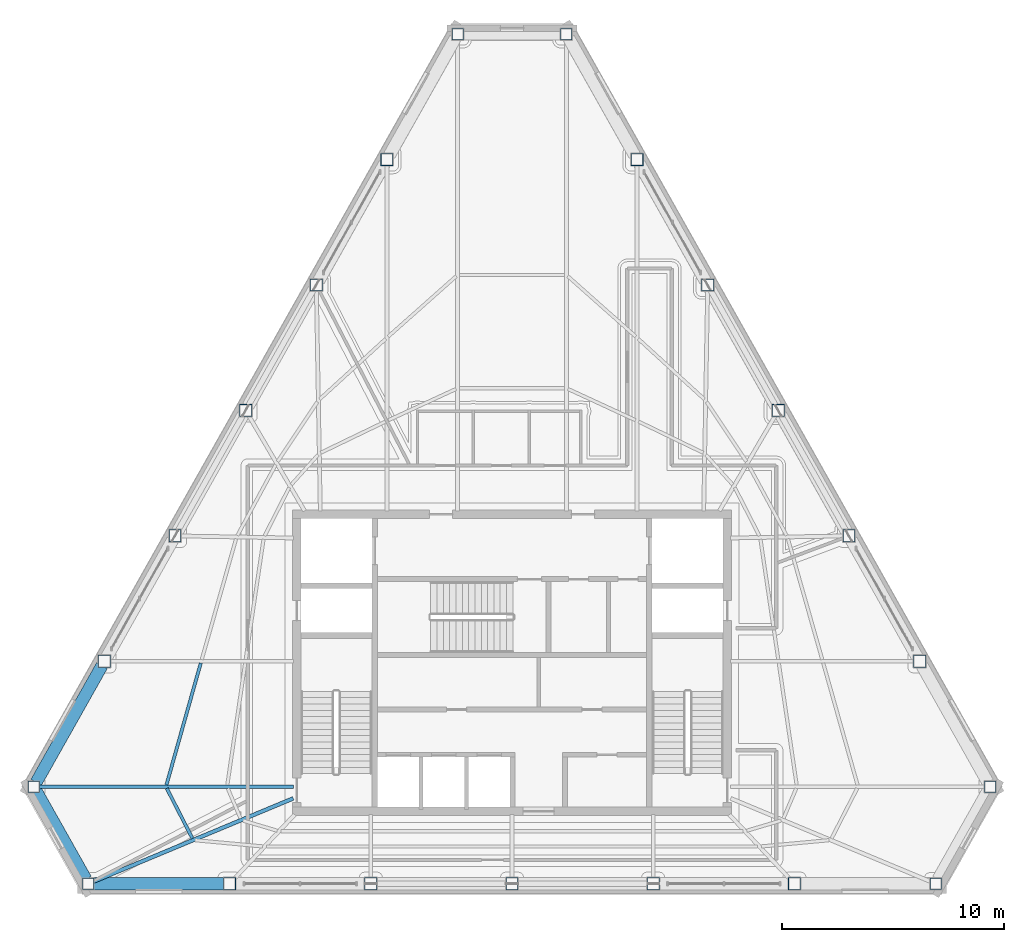
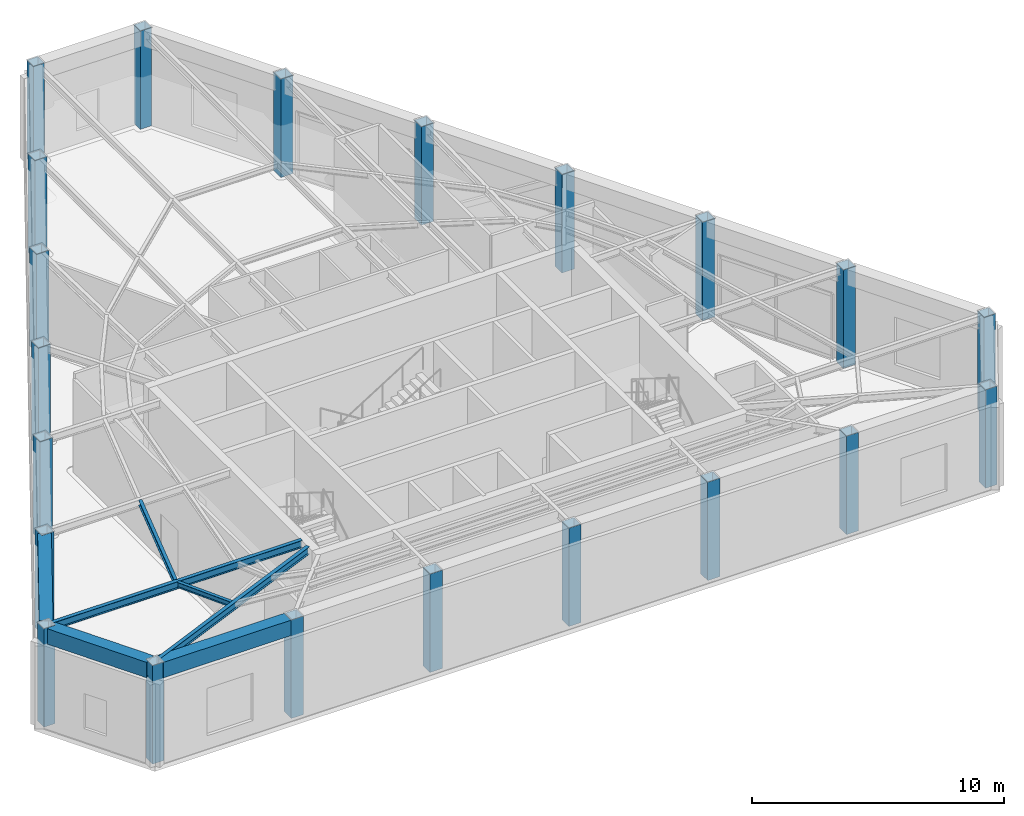
# One storey, part 1 of 15: 21 columns, 7 beams.
"""IFC4 building model written with IfcOpenShell, lengths in metres."""

from ifc_helpers import new_model, si_unit, direction, frame, origin, origin_2d, place, context, subcontext, project, spatial, hollow_rectangle, i_section, extrude, material, material_profile, profile_set, type_object, element, save


model = new_model("IFC4")

# Units and contexts
model_context = context("Model", 3, precision=1e-05, world=origin(), true_north=direction((0.0, 1.0)))
body_context = subcontext(model_context, "Body", "Model", "MODEL_VIEW")
ifc_project = project(units=[si_unit("LENGTHUNIT", "METRE"), si_unit("AREAUNIT", "SQUARE_METRE"), si_unit("VOLUMEUNIT", "CUBIC_METRE"), si_unit("PLANEANGLEUNIT", "RADIAN"), si_unit("MASSUNIT", "GRAM", prefix="KILO")], contexts=[model_context])

# Site, building, storey
site_placement = place(None, origin())
site = spatial("IfcSite", under=ifc_project, at=site_placement, CompositionType="ELEMENT")
building_placement = place(site_placement, origin())
building = spatial("IfcBuilding", under=site, at=building_placement, Name="Kavelnor Concourse Tower", CompositionType="ELEMENT")
storey_placement = place(building_placement, frame((0.0, 0.0, 304.949951171875)))
storey = spatial("IfcBuildingStorey", under=building, at=storey_placement, Name="L77", CompositionType="ELEMENT", Elevation=304.949951171875)

# Columns
ifc_material = material(Name="Steel Grade 350", Category="steel")
ifc_material_profile_1 = material_profile(ifc_material, hollow_rectangle(XDim=0.52001953125, YDim=0.52001953125, WallThickness=0.02392578125, at=origin_2d()), Name="SHS 520x520x24")
ifc_profile_set_1 = profile_set([ifc_material_profile_1], Name="Steel Grade 350")
column_type_1 = type_object("IfcColumnType", Name="COL-FOLD-Z4", PredefinedType="COLUMN", material=ifc_profile_set_1)
for number, where, z_axis, x_axis, name in (
    (1, (35.547607421875, 44.437255859375, 0.0), (0.0, 0.0, 1.0), (1.0, 0.0, 0.0), "L77 Perimeter Corner-Fold Column F0-B0"),
    (2, (16.437744140625, 10.507568359375, 0.0), (0.0, 0.0, 1.0), (1.0, 0.0, 0.0), "L77 Perimeter Corner-Fold Column F0-B6"),
    (3, (18.900390625, 6.135009765625, 0.0), (0.0, 0.0, 1.0), (1.0, 0.0, 0.0), "L77 Perimeter Corner-Fold Column F1-B0"),
    (4, (57.099609375, 6.135009765625, 0.0), (0.0, 0.0, 1.0), (1.0, 0.0, 0.0), "L77 Perimeter Corner-Fold Column F1-B6"),
    (5, (59.562255859375, 10.507568359375, 0.0), (0.0, 0.0, 1.0), (1.0, 0.0, 0.0), "L77 Perimeter Corner-Fold Column F2-B0"),
    (6, (40.452392578125, 44.437255859375, 0.0), (0.0, 0.0, 1.0), (1.0, 0.0, 0.0), "L77 Perimeter Corner-Fold Column F2-B6"),
):
    element("IfcColumn", number, at=place(storey_placement, frame(where, z_axis=z_axis, x_axis=x_axis)), inside=storey, type_object=column_type_1, Name=name, PredefinedType="COLUMN", context=body_context, shape_type="SweptSolid", body=[
        extrude(hollow_rectangle(XDim=0.52001953125, YDim=0.52001953125, WallThickness=0.02392578125, at=origin_2d()), origin(), (0.0, 0.0, 1.0), 4.77001953125),
    ])
ifc_material_profile_2 = material_profile(ifc_material, hollow_rectangle(XDim=0.56005859375, YDim=0.56005859375, WallThickness=0.02490234375, at=origin_2d()), Name="SHS 560x560x25")
ifc_profile_set_2 = profile_set([ifc_material_profile_2], Name="Steel Grade 350")
column_type_2 = type_object("IfcColumnType", Name="COL-TUBE-Z4", PredefinedType="COLUMN", material=ifc_profile_set_2)
for number, where, z_axis, x_axis, name in (
    (7, (32.362548828125, 38.782470703125, 0.0), (0.0, 0.0, 1.0), (1.0, 0.0, 0.0), "L77 Perimeter Framed-Tube Column F0-B1"),
    (8, (29.177490234375, 33.12744140625, 0.0), (0.0, 0.0, 1.0), (1.0, 0.0, 0.0), "L77 Perimeter Framed-Tube Column F0-B2"),
    (9, (25.99267578125, 27.472412109375, 0.0), (0.0, 0.0, 1.0), (1.0, 0.0, 0.0), "L77 Perimeter Framed-Tube Column F0-B3"),
    (10, (22.8076171875, 21.8173828125, 0.0), (0.0, 0.0, 1.0), (1.0, 0.0, 0.0), "L77 Perimeter Framed-Tube Column F0-B4"),
    (11, (19.622802734375, 16.16259765625, 0.0), (0.0, 0.0, 1.0), (1.0, 0.0, 0.0), "L77 Perimeter Framed-Tube Column F0-B5"),
    (12, (25.266845703125, 6.135009765625, 0.0), (0.0, 0.0, 1.0), (1.0, 0.0, 0.0), "L77 Perimeter Framed-Tube Column F1-B1"),
    (13, (31.633544921875, 6.135009765625, 0.0), (0.0, 0.0, 1.0), (1.0, 0.0, 0.0), "L77 Perimeter Framed-Tube Column F1-B2"),
    (14, (38.0, 6.135009765625, 0.0), (0.0, 0.0, 1.0), (1.0, 0.0, 0.0), "L77 Perimeter Framed-Tube Column F1-B3"),
    (15, (44.366455078125, 6.135009765625, 0.0), (0.0, 0.0, 1.0), (1.0, 0.0, 0.0), "L77 Perimeter Framed-Tube Column F1-B4"),
    (16, (50.733154296875, 6.135009765625, 0.0), (0.0, 0.0, 1.0), (1.0, 0.0, 0.0), "L77 Perimeter Framed-Tube Column F1-B5"),
    (17, (56.377197265625, 16.16259765625, 0.0), (0.0, 0.0, 1.0), (1.0, 0.0, 0.0), "L77 Perimeter Framed-Tube Column F2-B1"),
    (18, (53.1923828125, 21.8173828125, 0.0), (0.0, 0.0, 1.0), (1.0, 0.0, 0.0), "L77 Perimeter Framed-Tube Column F2-B2"),
    (19, (50.00732421875, 27.472412109375, 0.0), (0.0, 0.0, 1.0), (1.0, 0.0, 0.0), "L77 Perimeter Framed-Tube Column F2-B3"),
    (20, (46.822509765625, 33.12744140625, 0.0), (0.0, 0.0, 1.0), (1.0, 0.0, 0.0), "L77 Perimeter Framed-Tube Column F2-B4"),
    (21, (43.637451171875, 38.7822265625, 0.0), (0.0, 0.0, 1.0), (1.0, 0.0, 0.0), "L77 Perimeter Framed-Tube Column F2-B5"),
):
    element("IfcColumn", number, at=place(storey_placement, frame(where, z_axis=z_axis, x_axis=x_axis)), inside=storey, type_object=column_type_2, Name=name, PredefinedType="COLUMN", context=body_context, shape_type="SweptSolid", body=[
        extrude(hollow_rectangle(XDim=0.56005859375, YDim=0.56005859375, WallThickness=0.02490234375, at=origin_2d()), origin(), (0.0, 0.0, 1.0), 4.77001953125),
    ])

# Beams
ifc_material_profile_3 = material_profile(ifc_material, i_section(OverallWidth=0.14599609375, OverallDepth=0.256103515625, WebThickness=0.00634765625, FlangeThickness=0.010986328125, at=origin_2d()), Name="250UB37")
ifc_profile_set_3 = profile_set([ifc_material_profile_3], Name="Steel Grade 350")
beam_type_1 = type_object("IfcBeamType", Name="BM-JOIST-250", PredefinedType="JOIST", material=ifc_profile_set_3)
beam_1_placement = place(storey_placement, frame((22.436279296875, 10.4345703125, 4.64208984375), z_axis=(0.4560879314, -0.88993471605, 0.0), x_axis=(0.88993471605, 0.4560879314, 0.0)))
element("IfcBeam", 22, at=beam_1_placement, inside=storey, type_object=beam_type_1, Name="L77 Secondary Composite Joist 01-2", PredefinedType="JOIST", context=body_context, shape_type="SweptSolid", body=[
    extrude(i_section(OverallWidth=0.14599609375, OverallDepth=0.256103515625, WebThickness=0.00634765625, FlangeThickness=0.010986328125, at=origin_2d()), origin(), (0.0, 0.0, 1.0), 2.53564453125),
])
beam_2_placement = place(storey_placement, frame((23.968994140625, 16.083740234375, 4.64208984375), z_axis=(-0.271026584711, -0.96257186245, 0.0), x_axis=(0.96257186245, -0.271026584711, 0.0)))
element("IfcBeam", 23, at=beam_2_placement, inside=storey, type_object=beam_type_1, Name="L77 Secondary Composite Joist 21-2", PredefinedType="JOIST", context=body_context, shape_type="SweptSolid", body=[
    extrude(i_section(OverallWidth=0.14599609375, OverallDepth=0.256103515625, WebThickness=0.00634765625, FlangeThickness=0.010986328125, at=origin_2d()), origin(), (0.0, 0.0, 1.0), 5.711181640625),
])
ifc_material_profile_4 = material_profile(ifc_material, i_section(OverallWidth=0.172119140625, OverallDepth=0.35888671875, WebThickness=0.008056640625, FlangeThickness=0.012939453125, at=origin_2d()), Name="360UB56")
ifc_profile_set_4 = profile_set([ifc_material_profile_4], Name="Steel Grade 350")
beam_type_2 = type_object("IfcBeamType", Name="BM-PRIMARY-360", PredefinedType="BEAM", material=ifc_profile_set_4)
beam_3_placement = place(storey_placement, frame((28.139892578125, 10.507568359375, 4.590576171875), z_axis=(-1.0, 0.0, 0.0), x_axis=(0.0, -1.0, 0.0)))
element("IfcBeam", 24, at=beam_3_placement, inside=storey, type_object=beam_type_2, Name="L77 Primary Floor Girder F0-B6", PredefinedType="BEAM", context=body_context, shape_type="SweptSolid", body=[
    extrude(i_section(OverallWidth=0.172119140625, OverallDepth=0.35888671875, WebThickness=0.008056640625, FlangeThickness=0.012939453125, at=origin_2d()), origin(), (0.0, 0.0, 1.0), 11.482177734375),
])
beam_4_placement = place(storey_placement, frame((28.136962890625, 9.982177734375, 4.590576171875), z_axis=(-0.923120563069, -0.384510631893, 0.0), x_axis=(0.384510631893, -0.923120563069, 0.0)))
element("IfcBeam", 25, at=beam_4_placement, inside=storey, type_object=beam_type_2, Name="L77 Primary Floor Girder F1-B0", PredefinedType="BEAM", context=body_context, shape_type="SweptSolid", body=[
    extrude(i_section(OverallWidth=0.172119140625, OverallDepth=0.35888671875, WebThickness=0.008056640625, FlangeThickness=0.012939453125, at=origin_2d()), origin(), (0.0, 0.0, 1.0), 9.76416015625),
])
ifc_material_profile_5 = material_profile(ifc_material, hollow_rectangle(XDim=0.550048828125, YDim=0.75, WallThickness=0.034912109375, at=origin_2d()), Name="RHS 750x550x35")
ifc_profile_set_5 = profile_set([ifc_material_profile_5], Name="Steel Grade 350")
beam_type_3 = type_object("IfcBeamType", Name="BM-XFER-CHORD-750", PredefinedType="BEAM", material=ifc_profile_set_5)
beam_5_placement = place(storey_placement, frame((19.51220703125, 15.966552734375, 4.39501953125), z_axis=(-0.490727487572, -0.871313108441, 0.0), x_axis=(0.871313108441, -0.490727487572, 0.0)))
element("IfcBeam", 26, at=beam_5_placement, inside=storey, type_object=beam_type_3, Name="L77 Perimeter Tube Spandrel Beam F0-B5", PredefinedType="BEAM", context=body_context, shape_type="SweptSolid", body=[
    extrude(hollow_rectangle(XDim=0.550048828125, YDim=0.75, WallThickness=0.034912109375, at=origin_2d()), origin(), (0.0, 0.0, 1.0), 6.040283203125),
])
beam_6_placement = place(storey_placement, frame((19.12548828125, 6.135009765625, 4.39501953125), z_axis=(1.0, 0.0, 0.0), x_axis=(0.0, 1.0, 0.0)))
element("IfcBeam", 27, at=beam_6_placement, inside=storey, type_object=beam_type_3, Name="L77 Perimeter Tube Spandrel Beam F1-B0", PredefinedType="BEAM", context=body_context, shape_type="SweptSolid", body=[
    extrude(hollow_rectangle(XDim=0.550048828125, YDim=0.75, WallThickness=0.034912109375, at=origin_2d()), origin(), (0.0, 0.0, 1.0), 5.91650390625),
])
beam_7_placement = place(storey_placement, frame((16.548095703125, 10.3115234375, 4.39501953125), z_axis=(0.490748316235, -0.871301377316, 0.0), x_axis=(0.871301377316, 0.490748316235, 0.0)))
element("IfcBeam", 28, at=beam_7_placement, inside=storey, type_object=beam_type_3, Name="L77 Chamfer Facet Spandrel Beam C1", PredefinedType="BEAM", context=body_context, shape_type="SweptSolid", body=[
    extrude(hollow_rectangle(XDim=0.550048828125, YDim=0.75, WallThickness=0.034912109375, at=origin_2d()), origin(), (0.0, 0.0, 1.0), 4.568359375),
])

save(model, "model.ifc")
